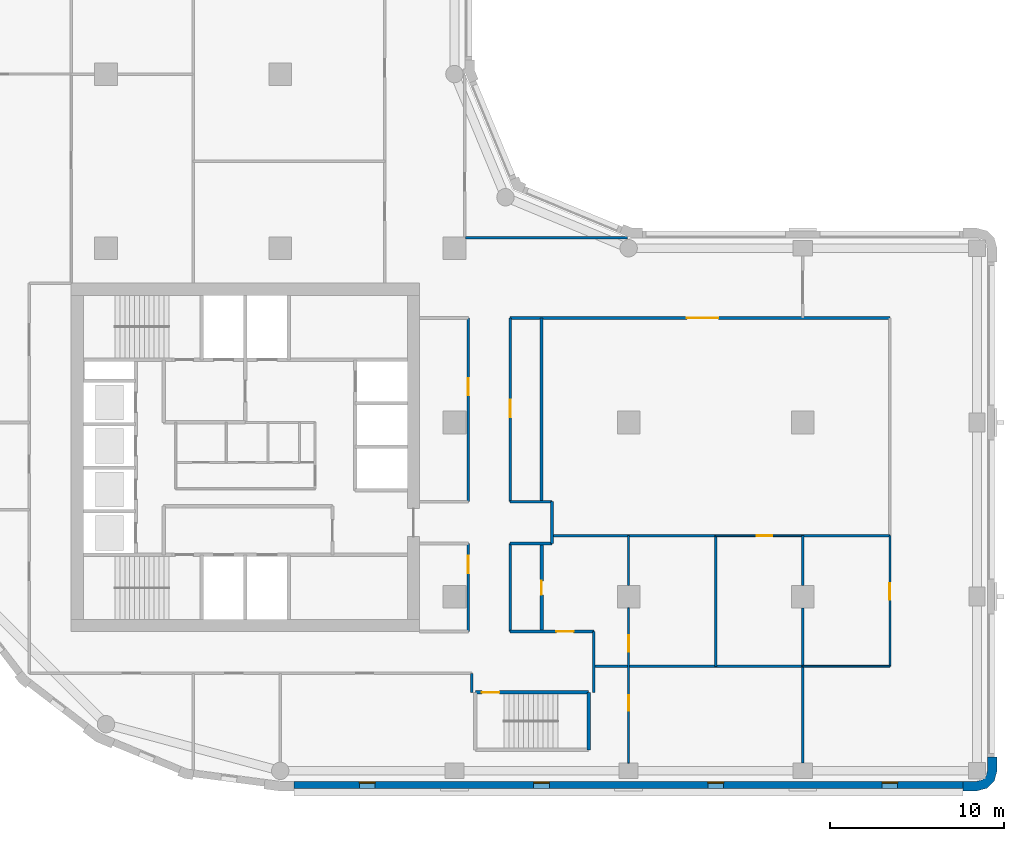
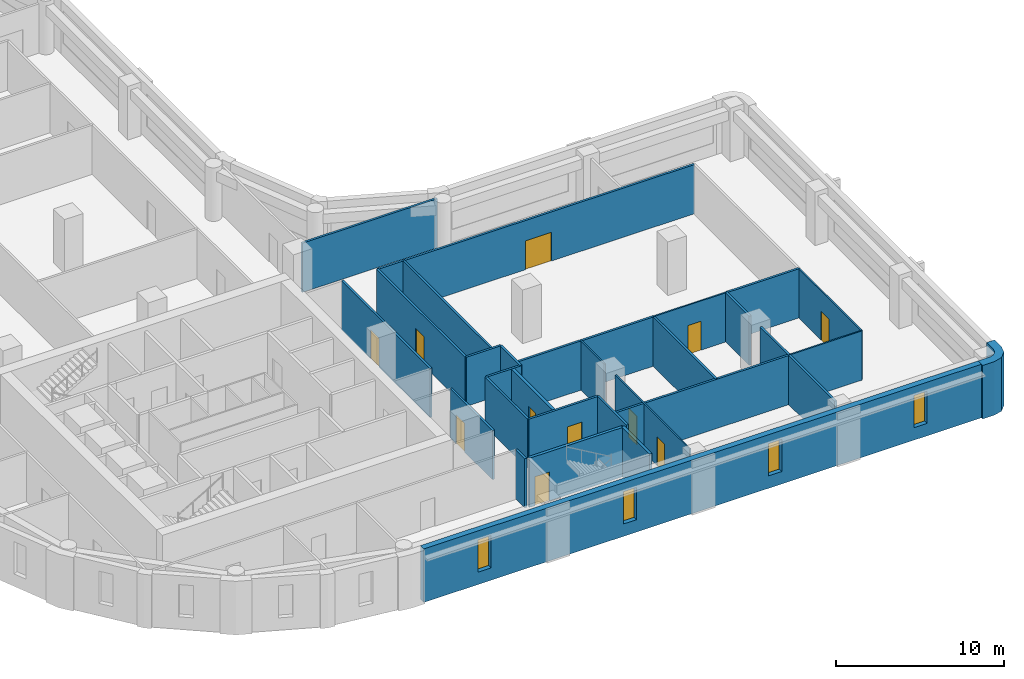
# One storey, part 4 of 10: 29 walls, 11 doors, 4 windows, 15 openings.
"""IFC4 building model written with IfcOpenShell, lengths in metres."""

from ifc_helpers import new_model, si_unit, direction, frame, frame_2d, origin, place, context, subcontext, project, spatial, polyline, rectangle, outline, extrude, material, layer, layer_set, type_object, element, fill, save


model = new_model("IFC4")

# Units and contexts
model_context = context("Model", 3, precision=1e-05, world=origin(), true_north=direction((0.0, 1.0)))
body_context = subcontext(model_context, "Body", "Model", "MODEL_VIEW")
ifc_project = project(units=[si_unit("LENGTHUNIT", "METRE"), si_unit("AREAUNIT", "SQUARE_METRE"), si_unit("VOLUMEUNIT", "CUBIC_METRE"), si_unit("PLANEANGLEUNIT", "RADIAN"), si_unit("MASSUNIT", "GRAM", prefix="KILO")], contexts=[model_context])

# Site, building, storey
site_placement = place(None, origin())
site = spatial("IfcSite", under=ifc_project, at=site_placement, CompositionType="ELEMENT")
building_placement = place(site_placement, origin())
building = spatial("IfcBuilding", under=site, at=building_placement, Name="Qaws Garden Tower", CompositionType="ELEMENT")
storey_placement = place(building_placement, frame((0.0, 0.0, 209.699951171875)))
storey = spatial("IfcBuildingStorey", under=building, at=storey_placement, Name="L51", CompositionType="ELEMENT", Elevation=209.699951171875)

# Wall, opening, door
ifc_material_1 = material(Name="Blockwork", Category="masonry")
ifc_layer_1 = layer(ifc_material_1, 0.199951171875)
ifc_layer_set_1 = layer_set([ifc_layer_1], Name="Blockwork")
wall_type_1 = type_object("IfcWallType", Name="BLOCK WALL 200 EI 60", PredefinedType="PARTITIONING", material=ifc_layer_set_1)
wall_1_placement = place(storey_placement, frame((35.0, 8.0, 0.0), z_axis=(0.0, 0.0, 1.0), x_axis=(0.0, 1.0, 0.0)))
wall_1 = element("IfcWall", 1, at=wall_1_placement, inside=storey, type_object=wall_type_1, Name="O-L51-wall-063", PredefinedType="PARTITIONING", context=body_context, shape_type="SweptSolid", body=[
    extrude(rectangle(XDim=5.050048828125, YDim=0.199951171875, at=frame_2d((2.52490234375, 0.0))), origin(), (0.0, 0.0, 1.0), 3.580078125),
])
opening_1_placement = place(wall_1_placement, frame((2.10009765625, 0.0, 0.0)))
opening_1 = element("IfcOpeningElement", 2, at=opening_1_placement, cuts=wall_1, Name="Opening B729", PredefinedType="OPENING", context=body_context, shape_type="SweptSolid", body=[
    extrude(rectangle(XDim=0.800048828125, YDim=2.10009765625, at=frame_2d((0.39990234375, 1.050048828125))), frame((0.0, 0.10986328125, 0.0), z_axis=(0.0, -1.0, 0.0), x_axis=(1.0, 0.0, 0.0)), (0.0, 0.0, 1.0), 0.219970703125),
])
ifc_material_2 = material(Name="Timber door leaf", Category="wood")
door_type_1 = type_object("IfcDoorType", Name="STORE DOOR 800 X 2100", OperationType="SINGLE_SWING_LEFT", PredefinedType="DOOR", material=ifc_material_2)
door_1_placement = place(opening_1_placement, origin())
door_1 = element("IfcDoor", 3, at=door_1_placement, inside=storey, type_object=door_type_1, Name="O-L51-door-029", OperationType="SINGLE_SWING_RIGHT", OverallHeight=2.10009765625, OverallWidth=0.800048828125, PredefinedType="DOOR", context=body_context, shape_type="SweptSolid", body=[
    extrude(rectangle(XDim=0.800048828125, YDim=2.10009765625, at=frame_2d((0.39990234375, 1.050048828125))), frame((0.0, 0.02490234375, 0.0), z_axis=(0.0, -1.0, 0.0), x_axis=(1.0, 0.0, 0.0)), (0.0, 0.0, 1.0), 0.050048828125),
])
fill(opening_1, door_1)

# Wall
ifc_material_3 = material(Name="Clay facing brick masonry", Category="masonry")
ifc_layer_2 = layer(ifc_material_3, 0.550048828125)
ifc_layer_set_2 = layer_set([ifc_layer_2], Name="Clay facing brick masonry")
wall_type_2 = type_object("IfcWallType", Name="Brick corner pier 550 x 2400", PredefinedType="SOLIDWALL", material=ifc_layer_set_2)
wall_2_placement = place(storey_placement, origin())
element("IfcWall", 4, at=wall_2_placement, inside=storey, type_object=wall_type_2, Name="E-L51-pier-04", PredefinedType="SOLIDWALL", context=body_context, shape_type="SweptSolid", body=[
    extrude(outline(polyline([(59.199951171875, -1.0), (59.199951171875, -1.14990234375), (60.0, -1.14990234375), (60.574951171875, -0.995849609375), (60.995849609375, -0.574951171875), (61.14990234375, 0.0), (61.14990234375, 0.800048828125), (61.0, 0.800048828125), (60.60009765625, 0.800048828125), (60.60009765625, 0.0), (60.51953125, -0.300048828125), (60.300048828125, -0.51953125), (60.0, -0.60009765625), (59.199951171875, -0.60009765625), (59.199951171875, -1.0)])), origin(), (0.0, 0.0, 1.0), 3.900146484375),
])

# Wall, openings, windows
ifc_material_4 = material(Name="Clay facing brick masonry", Category="masonry")
ifc_layer_3 = layer(ifc_material_4, 0.39990234375)
ifc_layer_set_3 = layer_set([ifc_layer_3], Name="Clay facing brick masonry")
wall_type_3 = type_object("IfcWallType", Name="Brick infill wall 400", PredefinedType="SOLIDWALL", material=ifc_layer_set_3)
wall_3_placement = place(storey_placement, frame((20.800048828125, -0.800048828125, 0.0), z_axis=(0.0, 0.0, 1.0), x_axis=(1.0, 0.0, 0.0)))
wall_3 = element("IfcWall", 5, at=wall_3_placement, inside=storey, type_object=wall_type_3, Name="E-L51-infill-00", PredefinedType="SOLIDWALL", context=body_context, shape_type="SweptSolid", body=[
    extrude(rectangle(XDim=38.39990234375, YDim=0.39990234375, at=frame_2d((19.199951171875, 0.0))), origin(), (0.0, 0.0, 1.0), 3.900146484375),
])
opening_2_placement = place(wall_3_placement, frame((3.75, 0.0, 0.89990234375)))
opening_2 = element("IfcOpeningElement", 6, at=opening_2_placement, cuts=wall_3, Name="Opening W09", PredefinedType="OPENING", context=body_context, shape_type="SweptSolid", body=[
    extrude(rectangle(XDim=0.89990234375, YDim=2.35009765625, at=frame_2d((0.449951171875, 1.175048828125))), frame((0.0, 0.2099609375, 0.0), z_axis=(0.0, -1.0, 0.0), x_axis=(1.0, 0.0, 0.0)), (0.0, 0.0, 1.0), 0.419921875),
])
opening_3_placement = place(wall_3_placement, frame((13.75, 0.0, 0.89990234375)))
opening_3 = element("IfcOpeningElement", 7, at=opening_3_placement, cuts=wall_3, Name="Opening W09", PredefinedType="OPENING", context=body_context, shape_type="SweptSolid", body=[
    extrude(rectangle(XDim=0.89990234375, YDim=2.35009765625, at=frame_2d((0.449951171875, 1.175048828125))), frame((0.0, 0.2099609375, 0.0), z_axis=(0.0, -1.0, 0.0), x_axis=(1.0, 0.0, 0.0)), (0.0, 0.0, 1.0), 0.419921875),
])
opening_4_placement = place(wall_3_placement, frame((23.75, 0.0, 0.89990234375)))
opening_4 = element("IfcOpeningElement", 8, at=opening_4_placement, cuts=wall_3, Name="Opening W09", PredefinedType="OPENING", context=body_context, shape_type="SweptSolid", body=[
    extrude(rectangle(XDim=0.89990234375, YDim=2.35009765625, at=frame_2d((0.449951171875, 1.175048828125))), frame((0.0, 0.2099609375, 0.0), z_axis=(0.0, -1.0, 0.0), x_axis=(1.0, 0.0, 0.0)), (0.0, 0.0, 1.0), 0.419921875),
])
opening_5_placement = place(wall_3_placement, frame((33.75, 0.0, 0.89990234375)))
opening_5 = element("IfcOpeningElement", 9, at=opening_5_placement, cuts=wall_3, Name="Opening W09", PredefinedType="OPENING", context=body_context, shape_type="SweptSolid", body=[
    extrude(rectangle(XDim=0.89990234375, YDim=2.35009765625, at=frame_2d((0.449951171875, 1.175048828125))), frame((0.0, 0.2099609375, 0.0), z_axis=(0.0, -1.0, 0.0), x_axis=(1.0, 0.0, 0.0)), (0.0, 0.0, 1.0), 0.419921875),
])
ifc_material_5 = material(Name="Aluminium framed window, clear glazing", Category="aluminium")
window_type = type_object("IfcWindowType", Name="Slit window 900 x 2350", PartitioningType="SINGLE_PANEL", PredefinedType="WINDOW", material=ifc_material_5)
window_1_placement = place(opening_2_placement, origin())
window_1 = element("IfcWindow", 10, at=window_1_placement, inside=storey, type_object=window_type, Name="E-L51-window-00-0", OverallHeight=2.35009765625, OverallWidth=0.89990234375, PartitioningType="SINGLE_PANEL", PredefinedType="WINDOW", context=body_context, shape_type="SweptSolid", body=[
    extrude(rectangle(XDim=0.89990234375, YDim=2.35009765625, at=frame_2d((0.449951171875, 1.175048828125))), frame((0.0, 0.159912109375, 0.0), z_axis=(0.0, -1.0, 0.0), x_axis=(1.0, 0.0, 0.0)), (0.0, 0.0, 1.0), 0.06005859375),
])
fill(opening_2, window_1)
window_2_placement = place(opening_3_placement, origin())
window_2 = element("IfcWindow", 11, at=window_2_placement, inside=storey, type_object=window_type, Name="E-L51-window-01-0", OverallHeight=2.35009765625, OverallWidth=0.89990234375, PartitioningType="SINGLE_PANEL", PredefinedType="WINDOW", context=body_context, shape_type="SweptSolid", body=[
    extrude(rectangle(XDim=0.89990234375, YDim=2.35009765625, at=frame_2d((0.449951171875, 1.175048828125))), frame((0.0, 0.159912109375, 0.0), z_axis=(0.0, -1.0, 0.0), x_axis=(1.0, 0.0, 0.0)), (0.0, 0.0, 1.0), 0.06005859375),
])
fill(opening_3, window_2)
window_3_placement = place(opening_4_placement, origin())
window_3 = element("IfcWindow", 12, at=window_3_placement, inside=storey, type_object=window_type, Name="E-L51-window-02-0", OverallHeight=2.35009765625, OverallWidth=0.89990234375, PartitioningType="SINGLE_PANEL", PredefinedType="WINDOW", context=body_context, shape_type="SweptSolid", body=[
    extrude(rectangle(XDim=0.89990234375, YDim=2.35009765625, at=frame_2d((0.449951171875, 1.175048828125))), frame((0.0, 0.159912109375, 0.0), z_axis=(0.0, -1.0, 0.0), x_axis=(1.0, 0.0, 0.0)), (0.0, 0.0, 1.0), 0.06005859375),
])
fill(opening_4, window_3)
window_4_placement = place(opening_5_placement, origin())
window_4 = element("IfcWindow", 13, at=window_4_placement, inside=storey, type_object=window_type, Name="E-L51-window-03-0", OverallHeight=2.35009765625, OverallWidth=0.89990234375, PartitioningType="SINGLE_PANEL", PredefinedType="WINDOW", context=body_context, shape_type="SweptSolid", body=[
    extrude(rectangle(XDim=0.89990234375, YDim=2.35009765625, at=frame_2d((0.449951171875, 1.175048828125))), frame((0.0, 0.159912109375, 0.0), z_axis=(0.0, -1.0, 0.0), x_axis=(1.0, 0.0, 0.0)), (0.0, 0.0, 1.0), 0.06005859375),
])
fill(opening_5, window_4)

# Wall, opening, door
ifc_material_6 = material(Name="Concrete C70", Category="concrete")
ifc_layer_4 = layer(ifc_material_6, 0.199951171875)
ifc_layer_set_4 = layer_set([ifc_layer_4], Name="Concrete C70")
wall_type_4 = type_object("IfcWallType", Name="Core shaft wall 200 C70", PredefinedType="SHEAR", material=ifc_layer_set_4)
wall_4_placement = place(storey_placement, frame((31.199951171875, 4.5, 0.0), z_axis=(0.0, 0.0, 1.0), x_axis=(1.0, 0.0, 0.0)))
wall_4 = element("IfcWall", 14, at=wall_4_placement, inside=storey, type_object=wall_type_4, Name="Shaft wall", PredefinedType="SHEAR", context=body_context, shape_type="SweptSolid", body=[
    extrude(rectangle(XDim=6.5, YDim=0.199951171875, at=frame_2d((3.25, 0.0))), origin(), (0.0, 0.0, 1.0), 3.580078125),
])
opening_6_placement = place(wall_4_placement, frame((0.375, 0.0, 0.0)))
opening_6 = element("IfcOpeningElement", 15, at=opening_6_placement, cuts=wall_4, Name="Opening SD12", PredefinedType="OPENING", context=body_context, shape_type="SweptSolid", body=[
    extrude(rectangle(XDim=1.0, YDim=2.10009765625, at=frame_2d((0.5, 1.050048828125))), frame((0.0, 0.10986328125, 0.0), z_axis=(0.0, -1.0, 0.0), x_axis=(1.0, 0.0, 0.0)), (0.0, 0.0, 1.0), 0.219970703125),
])
ifc_material_7 = material(Name="Steel S235", Category="steel")
door_type_2 = type_object("IfcDoorType", Name="Stair door 1000x2100", OperationType="SINGLE_SWING_RIGHT", PredefinedType="DOOR", material=ifc_material_7)
door_2_placement = place(opening_6_placement, frame((1.0, 0.0, 0.0), z_axis=(0.0, 0.0, 1.0), x_axis=(-1.0, 0.0, 0.0)))
door_2 = element("IfcDoor", 16, at=door_2_placement, inside=storey, type_object=door_type_2, Name="Stair 5 door", OperationType="SINGLE_SWING_RIGHT", OverallHeight=2.10009765625, OverallWidth=1.0, PredefinedType="DOOR", context=body_context, shape_type="SweptSolid", body=[
    extrude(rectangle(XDim=1.0, YDim=2.10009765625, at=frame_2d((0.5, 1.050048828125))), frame((0.0, 0.02490234375, 0.0), z_axis=(0.0, -1.0, 0.0), x_axis=(1.0, 0.0, 0.0)), (0.0, 0.0, 1.0), 0.050048828125),
])
fill(opening_6, door_2)

# Wall
wall_5_placement = place(storey_placement, frame((37.699951171875, 1.199951171875, 0.0), z_axis=(0.0, 0.0, 1.0), x_axis=(0.0, 1.0, 0.0)))
element("IfcWall", 17, at=wall_5_placement, inside=storey, type_object=wall_type_4, Name="Shaft wall", PredefinedType="SHEAR", context=body_context, shape_type="SweptSolid", body=[
    extrude(rectangle(XDim=3.300048828125, YDim=0.199951171875, at=frame_2d((1.64990234375, 0.0))), origin(), (0.0, 0.0, 1.0), 3.580078125),
])

# Wall, openings, doors
ifc_material_8 = material(Name="Gypsum board partition")
ifc_layer_5 = layer(ifc_material_8, 0.10009765625)
ifc_layer_set_5 = layer_set([ifc_layer_5], Name="Gypsum board partition")
wall_type_5 = type_object("IfcWallType", Name="PARTITION 100", PredefinedType="PARTITIONING", material=ifc_layer_set_5)
wall_6_placement = place(storey_placement, frame((40.0, 0.449951171875, 0.0), z_axis=(0.0, 0.0, 1.0), x_axis=(0.0, 1.0, 0.0)))
wall_6 = element("IfcWall", 18, at=wall_6_placement, inside=storey, type_object=wall_type_5, Name="O-L51-wall-003", PredefinedType="PARTITIONING", context=body_context, shape_type="SweptSolid", body=[
    extrude(rectangle(XDim=8.900146484375, YDim=0.10009765625, at=frame_2d((4.4501953125, 0.0))), origin(), (0.0, 0.0, 1.0), 3.580078125),
])
opening_7_placement = place(wall_6_placement, frame((6.375, 0.0, 0.0)))
opening_7 = element("IfcOpeningElement", 19, at=opening_7_placement, cuts=wall_6, Name="Opening B722", PredefinedType="OPENING", context=body_context, shape_type="SweptSolid", body=[
    extrude(rectangle(XDim=0.949951171875, YDim=2.10009765625, at=frame_2d((0.47509765625, 1.050048828125))), frame((0.0, 0.06005859375, 0.0), z_axis=(0.0, -1.0, 0.0), x_axis=(1.0, 0.0, 0.0)), (0.0, 0.0, 1.0), 0.1201171875),
])
opening_8_placement = place(wall_6_placement, frame((3.0, 0.0, 0.0)))
opening_8 = element("IfcOpeningElement", 20, at=opening_8_placement, cuts=wall_6, Name="Opening B725", PredefinedType="OPENING", context=body_context, shape_type="SweptSolid", body=[
    extrude(rectangle(XDim=0.89990234375, YDim=2.10009765625, at=frame_2d((0.449951171875, 1.050048828125))), frame((0.0, 0.06005859375, 0.0), z_axis=(0.0, -1.0, 0.0), x_axis=(1.0, 0.0, 0.0)), (0.0, 0.0, 1.0), 0.1201171875),
])
ifc_material_9 = material(Name="Timber and glass door leaf", Category="wood")
door_type_3 = type_object("IfcDoorType", Name="GLAZED DOOR 950 X 2100", OperationType="SINGLE_SWING_LEFT", PredefinedType="DOOR", material=ifc_material_9)
door_3_placement = place(opening_7_placement, origin())
door_3 = element("IfcDoor", 21, at=door_3_placement, inside=storey, type_object=door_type_3, Name="O-L51-door-022", OperationType="SINGLE_SWING_LEFT", OverallHeight=2.10009765625, OverallWidth=0.949951171875, PredefinedType="DOOR", context=body_context, shape_type="SweptSolid", body=[
    extrude(rectangle(XDim=0.949951171875, YDim=2.10009765625, at=frame_2d((0.47509765625, 1.050048828125))), frame((0.0, 0.02490234375, 0.0), z_axis=(0.0, -1.0, 0.0), x_axis=(1.0, 0.0, 0.0)), (0.0, 0.0, 1.0), 0.050048828125),
])
fill(opening_7, door_3)
ifc_material_10 = material(Name="Timber door leaf", Category="wood")
door_type_4 = type_object("IfcDoorType", Name="OFFICE DOOR 900 X 2100", OperationType="SINGLE_SWING_LEFT", PredefinedType="DOOR", material=ifc_material_10)
door_4_placement = place(opening_8_placement, frame((0.89990234375, 0.0, 0.0), z_axis=(0.0, 0.0, 1.0), x_axis=(-1.0, 0.0, 0.0)))
door_4 = element("IfcDoor", 22, at=door_4_placement, inside=storey, type_object=door_type_4, Name="O-L51-door-025", OperationType="SINGLE_SWING_LEFT", OverallHeight=2.10009765625, OverallWidth=0.89990234375, PredefinedType="DOOR", context=body_context, shape_type="SweptSolid", body=[
    extrude(rectangle(XDim=0.89990234375, YDim=2.10009765625, at=frame_2d((0.449951171875, 1.050048828125))), frame((0.0, 0.02490234375, 0.0), z_axis=(0.0, -1.0, 0.0), x_axis=(1.0, 0.0, 0.0)), (0.0, 0.0, 1.0), 0.050048828125),
])
fill(opening_8, door_4)

# Wall
wall_7_placement = place(storey_placement, frame((40.0, 10.64990234375, 0.0), z_axis=(0.0, 0.0, 1.0), x_axis=(0.0, 1.0, 0.0)))
element("IfcWall", 23, at=wall_7_placement, inside=storey, type_object=wall_type_5, Name="O-L51-wall-004", PredefinedType="PARTITIONING", context=body_context, shape_type="SweptSolid", body=[
    extrude(rectangle(XDim=2.85009765625, YDim=0.10009765625, at=frame_2d((1.425048828125, 0.0))), origin(), (0.0, 0.0, 1.0), 3.580078125),
])

# Wall, opening, door
wall_8_placement = place(storey_placement, frame((55.0, 6.0, 0.0), z_axis=(0.0, 0.0, 1.0), x_axis=(0.0, 1.0, 0.0)))
wall_8 = element("IfcWall", 24, at=wall_8_placement, inside=storey, type_object=wall_type_5, Name="O-L51-wall-005", PredefinedType="PARTITIONING", context=body_context, shape_type="SweptSolid", body=[
    extrude(rectangle(XDim=7.5, YDim=0.10009765625, at=frame_2d((3.75, 0.0))), origin(), (0.0, 0.0, 1.0), 3.580078125),
])
opening_9_placement = place(wall_8_placement, frame((3.824951171875, 0.0, 0.0)))
opening_9 = element("IfcOpeningElement", 25, at=opening_9_placement, cuts=wall_8, Name="Opening B724", PredefinedType="OPENING", context=body_context, shape_type="SweptSolid", body=[
    extrude(rectangle(XDim=0.949951171875, YDim=2.10009765625, at=frame_2d((0.47509765625, 1.050048828125))), frame((0.0, 0.06005859375, 0.0), z_axis=(0.0, -1.0, 0.0), x_axis=(1.0, 0.0, 0.0)), (0.0, 0.0, 1.0), 0.1201171875),
])
door_5_placement = place(opening_9_placement, origin())
door_5 = element("IfcDoor", 26, at=door_5_placement, inside=storey, type_object=door_type_3, Name="O-L51-door-024", OperationType="SINGLE_SWING_RIGHT", OverallHeight=2.10009765625, OverallWidth=0.949951171875, PredefinedType="DOOR", context=body_context, shape_type="SweptSolid", body=[
    extrude(rectangle(XDim=0.949951171875, YDim=2.10009765625, at=frame_2d((0.47509765625, 1.050048828125))), frame((0.0, 0.02490234375, 0.0), z_axis=(0.0, -1.0, 0.0), x_axis=(1.0, 0.0, 0.0)), (0.0, 0.0, 1.0), 0.050048828125),
])
fill(opening_9, door_5)

# Wall
wall_9_placement = place(storey_placement, frame((50.0, 6.0, 0.0), z_axis=(0.0, 0.0, 1.0), x_axis=(1.0, 0.0, 0.0)))
element("IfcWall", 27, at=wall_9_placement, inside=storey, type_object=wall_type_5, Name="O-L51-wall-006", PredefinedType="PARTITIONING", context=body_context, shape_type="SweptSolid", body=[
    extrude(rectangle(XDim=5.0, YDim=0.10009765625, at=frame_2d((2.5, 0.0))), origin(), (0.0, 0.0, 1.0), 3.580078125),
])

# Wall, opening, door
wall_10_placement = place(storey_placement, frame((45.0, 13.5, 0.0), z_axis=(0.0, 0.0, 1.0), x_axis=(1.0, 0.0, 0.0)))
wall_10 = element("IfcWall", 28, at=wall_10_placement, inside=storey, type_object=wall_type_5, Name="O-L51-wall-007", PredefinedType="PARTITIONING", context=body_context, shape_type="SweptSolid", body=[
    extrude(rectangle(XDim=5.0, YDim=0.10009765625, at=frame_2d((2.5, 0.0))), origin(), (0.0, 0.0, 1.0), 3.580078125),
])
opening_10_placement = place(wall_10_placement, frame((2.35009765625, 0.0, 0.0)))
opening_10 = element("IfcOpeningElement", 29, at=opening_10_placement, cuts=wall_10, Name="Opening B723", PredefinedType="OPENING", context=body_context, shape_type="SweptSolid", body=[
    extrude(rectangle(XDim=0.89990234375, YDim=2.10009765625, at=frame_2d((0.449951171875, 1.050048828125))), frame((0.0, 0.06005859375, 0.0), z_axis=(0.0, -1.0, 0.0), x_axis=(1.0, 0.0, 0.0)), (0.0, 0.0, 1.0), 0.1201171875),
])
door_6_placement = place(opening_10_placement, frame((0.89990234375, 0.0, 0.0), z_axis=(0.0, 0.0, 1.0), x_axis=(-1.0, 0.0, 0.0)))
door_6 = element("IfcDoor", 30, at=door_6_placement, inside=storey, type_object=door_type_4, Name="O-L51-door-023", OperationType="SINGLE_SWING_RIGHT", OverallHeight=2.10009765625, OverallWidth=0.89990234375, PredefinedType="DOOR", context=body_context, shape_type="SweptSolid", body=[
    extrude(rectangle(XDim=0.89990234375, YDim=2.10009765625, at=frame_2d((0.449951171875, 1.050048828125))), frame((0.0, 0.02490234375, 0.0), z_axis=(0.0, -1.0, 0.0), x_axis=(1.0, 0.0, 0.0)), (0.0, 0.0, 1.0), 0.050048828125),
])
fill(opening_10, door_6)

ifc_material_11 = material(Name="Gypsum board partition")
ifc_layer_6 = layer(ifc_material_11, 0.14990234375)
ifc_layer_set_6 = layer_set([ifc_layer_6], Name="Gypsum board partition")
wall_type_6 = type_object("IfcWallType", Name="PARTITION 150 EI 60", PredefinedType="PARTITIONING", material=ifc_layer_set_6)
wall_11_placement = place(storey_placement, frame((30.800048828125, 8.0, 0.0), z_axis=(0.0, 0.0, 1.0), x_axis=(0.0, 1.0, 0.0)))
wall_11 = element("IfcWall", 31, at=wall_11_placement, inside=storey, type_object=wall_type_6, Name="O-L51-wall-021", PredefinedType="PARTITIONING", context=body_context, shape_type="SweptSolid", body=[
    extrude(rectangle(XDim=5.050048828125, YDim=0.14990234375, at=frame_2d((2.52490234375, 0.0))), origin(), (0.0, 0.0, 1.0), 3.580078125),
])
opening_11_placement = place(wall_11_placement, frame((3.35009765625, 0.0, 0.0)))
opening_11 = element("IfcOpeningElement", 32, at=opening_11_placement, cuts=wall_11, Name="Opening B721", PredefinedType="OPENING", context=body_context, shape_type="SweptSolid", body=[
    extrude(rectangle(XDim=1.0, YDim=2.10009765625, at=frame_2d((0.5, 1.050048828125))), frame((0.0, 0.0849609375, 0.0), z_axis=(0.0, -1.0, 0.0), x_axis=(1.0, 0.0, 0.0)), (0.0, 0.0, 1.0), 0.169921875),
])
ifc_material_12 = material(Name="Timber door leaf", Category="wood")
door_type_5 = type_object("IfcDoorType", Name="TENANCY ENTRANCE DOOR 1000 X 2100", OperationType="SINGLE_SWING_LEFT", PredefinedType="DOOR", material=ifc_material_12)
door_7_placement = place(opening_11_placement, origin())
door_7 = element("IfcDoor", 33, at=door_7_placement, inside=storey, type_object=door_type_5, Name="O-L51-door-021", OperationType="SINGLE_SWING_RIGHT", OverallHeight=2.10009765625, OverallWidth=1.0, PredefinedType="DOOR", context=body_context, shape_type="SweptSolid", body=[
    extrude(rectangle(XDim=1.0, YDim=2.10009765625, at=frame_2d((0.5, 1.050048828125))), frame((0.0, 0.02490234375, 0.0), z_axis=(0.0, -1.0, 0.0), x_axis=(1.0, 0.0, 0.0)), (0.0, 0.0, 1.0), 0.050048828125),
])
fill(opening_11, door_7)

wall_12_placement = place(storey_placement, frame((30.800048828125, 15.449951171875, 0.0), z_axis=(0.0, 0.0, 1.0), x_axis=(0.0, 1.0, 0.0)))
wall_12 = element("IfcWall", 34, at=wall_12_placement, inside=storey, type_object=wall_type_6, Name="O-L51-wall-022", PredefinedType="PARTITIONING", context=body_context, shape_type="SweptSolid", body=[
    extrude(rectangle(XDim=10.550048828125, YDim=0.14990234375, at=frame_2d((5.27490234375, 0.0))), origin(), (0.0, 0.0, 1.0), 3.580078125),
])
opening_12_placement = place(wall_12_placement, frame((6.10009765625, 0.0, 0.0)))
opening_12 = element("IfcOpeningElement", 35, at=opening_12_placement, cuts=wall_12, Name="Opening B719", PredefinedType="OPENING", context=body_context, shape_type="SweptSolid", body=[
    extrude(rectangle(XDim=1.0, YDim=2.10009765625, at=frame_2d((0.5, 1.050048828125))), frame((0.0, 0.0849609375, 0.0), z_axis=(0.0, -1.0, 0.0), x_axis=(1.0, 0.0, 0.0)), (0.0, 0.0, 1.0), 0.169921875),
])
door_8_placement = place(opening_12_placement, origin())
door_8 = element("IfcDoor", 36, at=door_8_placement, inside=storey, type_object=door_type_5, Name="O-L51-door-019", OperationType="SINGLE_SWING_RIGHT", OverallHeight=2.10009765625, OverallWidth=1.0, PredefinedType="DOOR", context=body_context, shape_type="SweptSolid", body=[
    extrude(rectangle(XDim=1.0, YDim=2.10009765625, at=frame_2d((0.5, 1.050048828125))), frame((0.0, 0.02490234375, 0.0), z_axis=(0.0, -1.0, 0.0), x_axis=(1.0, 0.0, 0.0)), (0.0, 0.0, 1.0), 0.050048828125),
])
fill(opening_12, door_8)

# Walls
wall_13_placement = place(storey_placement, frame((31.0, 4.5, 0.0), z_axis=(0.0, 0.0, 1.0), x_axis=(0.0, 1.0, 0.0)))
element("IfcWall", 37, at=wall_13_placement, inside=storey, type_object=wall_type_6, Name="O-L51-wall-023", PredefinedType="PARTITIONING", context=body_context, shape_type="SweptSolid", body=[
    extrude(rectangle(XDim=1.10009765625, YDim=0.14990234375, at=frame_2d((0.550048828125, 0.0))), origin(), (0.0, 0.0, 1.0), 3.580078125),
])
wall_14_placement = place(storey_placement, frame((33.199951171875, 8.0, 0.0), z_axis=(0.0, 0.0, 1.0), x_axis=(0.0, 1.0, 0.0)))
element("IfcWall", 38, at=wall_14_placement, inside=storey, type_object=wall_type_6, Name="O-L51-wall-024", PredefinedType="PARTITIONING", context=body_context, shape_type="SweptSolid", body=[
    extrude(rectangle(XDim=5.050048828125, YDim=0.14990234375, at=frame_2d((2.52490234375, 0.0))), origin(), (0.0, 0.0, 1.0), 3.580078125),
])

# Wall, opening, door
wall_15_placement = place(storey_placement, frame((33.199951171875, 15.449951171875, 0.0), z_axis=(0.0, 0.0, 1.0), x_axis=(0.0, 1.0, 0.0)))
wall_15 = element("IfcWall", 39, at=wall_15_placement, inside=storey, type_object=wall_type_6, Name="O-L51-wall-025", PredefinedType="PARTITIONING", context=body_context, shape_type="SweptSolid", body=[
    extrude(rectangle(XDim=10.550048828125, YDim=0.14990234375, at=frame_2d((5.27490234375, 0.0))), origin(), (0.0, 0.0, 1.0), 3.580078125),
])
opening_13_placement = place(wall_15_placement, frame((4.85009765625, 0.0, 0.0)))
opening_13 = element("IfcOpeningElement", 40, at=opening_13_placement, cuts=wall_15, Name="Opening B718", PredefinedType="OPENING", context=body_context, shape_type="SweptSolid", body=[
    extrude(rectangle(XDim=1.0, YDim=2.10009765625, at=frame_2d((0.5, 1.050048828125))), frame((0.0, 0.0849609375, 0.0), z_axis=(0.0, -1.0, 0.0), x_axis=(1.0, 0.0, 0.0)), (0.0, 0.0, 1.0), 0.169921875),
])
door_9_placement = place(opening_13_placement, frame((1.0, 0.0, 0.0), z_axis=(0.0, 0.0, 1.0), x_axis=(-1.0, 0.0, 0.0)))
door_9 = element("IfcDoor", 41, at=door_9_placement, inside=storey, type_object=door_type_5, Name="O-L51-door-018", OperationType="SINGLE_SWING_LEFT", OverallHeight=2.10009765625, OverallWidth=1.0, PredefinedType="DOOR", context=body_context, shape_type="SweptSolid", body=[
    extrude(rectangle(XDim=1.0, YDim=2.10009765625, at=frame_2d((0.5, 1.050048828125))), frame((0.0, 0.02490234375, 0.0), z_axis=(0.0, -1.0, 0.0), x_axis=(1.0, 0.0, 0.0)), (0.0, 0.0, 1.0), 0.050048828125),
])
fill(opening_13, door_9)

# Walls
wall_16_placement = place(storey_placement, frame((35.0, 15.449951171875, 0.0), z_axis=(0.0, 0.0, 1.0), x_axis=(0.0, 1.0, 0.0)))
element("IfcWall", 42, at=wall_16_placement, inside=storey, type_object=wall_type_6, Name="O-L51-wall-026", PredefinedType="PARTITIONING", context=body_context, shape_type="SweptSolid", body=[
    extrude(rectangle(XDim=10.550048828125, YDim=0.14990234375, at=frame_2d((5.27490234375, 0.0))), origin(), (0.0, 0.0, 1.0), 3.580078125),
])
wall_17_placement = place(storey_placement, frame((35.60009765625, 13.050048828125, 0.0), z_axis=(0.0, 0.0, 1.0), x_axis=(0.0, 1.0, 0.0)))
element("IfcWall", 43, at=wall_17_placement, inside=storey, type_object=wall_type_6, Name="O-L51-wall-027", PredefinedType="PARTITIONING", context=body_context, shape_type="SweptSolid", body=[
    extrude(rectangle(XDim=2.39990234375, YDim=0.14990234375, at=frame_2d((1.199951171875, 0.0))), origin(), (0.0, 0.0, 1.0), 3.580078125),
])
wall_18_placement = place(storey_placement, frame((38.0, 4.5, 0.0), z_axis=(0.0, 0.0, 1.0), x_axis=(0.0, 1.0, 0.0)))
element("IfcWall", 44, at=wall_18_placement, inside=storey, type_object=wall_type_6, Name="O-L51-wall-028", PredefinedType="PARTITIONING", context=body_context, shape_type="SweptSolid", body=[
    extrude(rectangle(XDim=3.5, YDim=0.14990234375, at=frame_2d((1.75, 0.0))), origin(), (0.0, 0.0, 1.0), 3.580078125),
])
wall_19_placement = place(storey_placement, frame((45.0, 6.0, 0.0), z_axis=(0.0, 0.0, 1.0), x_axis=(0.0, 1.0, 0.0)))
element("IfcWall", 45, at=wall_19_placement, inside=storey, type_object=wall_type_6, Name="O-L51-wall-029", PredefinedType="PARTITIONING", context=body_context, shape_type="SweptSolid", body=[
    extrude(rectangle(XDim=7.5, YDim=0.14990234375, at=frame_2d((3.75, 0.0))), origin(), (0.0, 0.0, 1.0), 3.580078125),
])
wall_20_placement = place(storey_placement, frame((50.0, 0.449951171875, 0.0), z_axis=(0.0, 0.0, 1.0), x_axis=(0.0, 1.0, 0.0)))
element("IfcWall", 46, at=wall_20_placement, inside=storey, type_object=wall_type_6, Name="O-L51-wall-030", PredefinedType="PARTITIONING", context=body_context, shape_type="SweptSolid", body=[
    extrude(rectangle(XDim=8.900146484375, YDim=0.14990234375, at=frame_2d((4.4501953125, 0.0))), origin(), (0.0, 0.0, 1.0), 3.580078125),
])
wall_21_placement = place(storey_placement, frame((50.0, 10.64990234375, 0.0), z_axis=(0.0, 0.0, 1.0), x_axis=(0.0, 1.0, 0.0)))
element("IfcWall", 47, at=wall_21_placement, inside=storey, type_object=wall_type_6, Name="O-L51-wall-031", PredefinedType="PARTITIONING", context=body_context, shape_type="SweptSolid", body=[
    extrude(rectangle(XDim=2.85009765625, YDim=0.14990234375, at=frame_2d((1.425048828125, 0.0))), origin(), (0.0, 0.0, 1.0), 3.580078125),
])
wall_22_placement = place(storey_placement, frame((38.0, 6.0, 0.0), z_axis=(0.0, 0.0, 1.0), x_axis=(1.0, 0.0, 0.0)))
element("IfcWall", 48, at=wall_22_placement, inside=storey, type_object=wall_type_6, Name="O-L51-wall-035", PredefinedType="PARTITIONING", context=body_context, shape_type="SweptSolid", body=[
    extrude(rectangle(XDim=12.0, YDim=0.14990234375, at=frame_2d((6.0, 0.0))), origin(), (0.0, 0.0, 1.0), 3.580078125),
])

# Wall, opening, door
wall_23_placement = place(storey_placement, frame((33.199951171875, 8.0, 0.0), z_axis=(0.0, 0.0, 1.0), x_axis=(1.0, 0.0, 0.0)))
wall_23 = element("IfcWall", 49, at=wall_23_placement, inside=storey, type_object=wall_type_6, Name="O-L51-wall-037", PredefinedType="PARTITIONING", context=body_context, shape_type="SweptSolid", body=[
    extrude(rectangle(XDim=4.800048828125, YDim=0.14990234375, at=frame_2d((2.39990234375, 0.0))), origin(), (0.0, 0.0, 1.0), 3.580078125),
])
opening_14_placement = place(wall_23_placement, frame((2.64990234375, 0.0, 0.0)))
opening_14 = element("IfcOpeningElement", 50, at=opening_14_placement, cuts=wall_23, Name="Opening B703", PredefinedType="OPENING", context=body_context, shape_type="SweptSolid", body=[
    extrude(rectangle(XDim=1.0, YDim=2.10009765625, at=frame_2d((0.5, 1.050048828125))), frame((0.0, 0.0849609375, 0.0), z_axis=(0.0, -1.0, 0.0), x_axis=(1.0, 0.0, 0.0)), (0.0, 0.0, 1.0), 0.169921875),
])
door_10_placement = place(opening_14_placement, origin())
door_10 = element("IfcDoor", 51, at=door_10_placement, inside=storey, type_object=door_type_5, Name="O-L51-door-003", OperationType="SINGLE_SWING_LEFT", OverallHeight=2.10009765625, OverallWidth=1.0, PredefinedType="DOOR", context=body_context, shape_type="SweptSolid", body=[
    extrude(rectangle(XDim=1.0, YDim=2.10009765625, at=frame_2d((0.5, 1.050048828125))), frame((0.0, 0.02490234375, 0.0), z_axis=(0.0, -1.0, 0.0), x_axis=(1.0, 0.0, 0.0)), (0.0, 0.0, 1.0), 0.050048828125),
])
fill(opening_14, door_10)

# Walls
wall_24_placement = place(storey_placement, frame((33.199951171875, 13.050048828125, 0.0), z_axis=(0.0, 0.0, 1.0), x_axis=(1.0, 0.0, 0.0)))
element("IfcWall", 52, at=wall_24_placement, inside=storey, type_object=wall_type_6, Name="O-L51-wall-039", PredefinedType="PARTITIONING", context=body_context, shape_type="SweptSolid", body=[
    extrude(rectangle(XDim=2.400146484375, YDim=0.14990234375, at=frame_2d((1.2001953125, 0.0))), origin(), (0.0, 0.0, 1.0), 3.580078125),
])
wall_25_placement = place(storey_placement, frame((35.60009765625, 13.5, 0.0), z_axis=(0.0, 0.0, 1.0), x_axis=(1.0, 0.0, 0.0)))
element("IfcWall", 53, at=wall_25_placement, inside=storey, type_object=wall_type_6, Name="O-L51-wall-040", PredefinedType="PARTITIONING", context=body_context, shape_type="SweptSolid", body=[
    extrude(rectangle(XDim=9.39990234375, YDim=0.14990234375, at=frame_2d((4.699951171875, 0.0))), origin(), (0.0, 0.0, 1.0), 3.580078125),
])
wall_26_placement = place(storey_placement, frame((50.0, 13.5, 0.0), z_axis=(0.0, 0.0, 1.0), x_axis=(1.0, 0.0, 0.0)))
element("IfcWall", 54, at=wall_26_placement, inside=storey, type_object=wall_type_6, Name="O-L51-wall-041", PredefinedType="PARTITIONING", context=body_context, shape_type="SweptSolid", body=[
    extrude(rectangle(XDim=5.0, YDim=0.14990234375, at=frame_2d((2.5, 0.0))), origin(), (0.0, 0.0, 1.0), 3.580078125),
])
wall_27_placement = place(storey_placement, frame((33.199951171875, 15.449951171875, 0.0), z_axis=(0.0, 0.0, 1.0), x_axis=(1.0, 0.0, 0.0)))
element("IfcWall", 55, at=wall_27_placement, inside=storey, type_object=wall_type_6, Name="O-L51-wall-044", PredefinedType="PARTITIONING", context=body_context, shape_type="SweptSolid", body=[
    extrude(rectangle(XDim=2.400146484375, YDim=0.14990234375, at=frame_2d((1.2001953125, 0.0))), origin(), (0.0, 0.0, 1.0), 3.580078125),
])

# Wall, opening, door
wall_28_placement = place(storey_placement, frame((33.199951171875, 26.0, 0.0), z_axis=(0.0, 0.0, 1.0), x_axis=(1.0, 0.0, 0.0)))
wall_28 = element("IfcWall", 56, at=wall_28_placement, inside=storey, type_object=wall_type_6, Name="O-L51-wall-047", PredefinedType="PARTITIONING", context=body_context, shape_type="SweptSolid", body=[
    extrude(rectangle(XDim=21.800048828125, YDim=0.14990234375, at=frame_2d((10.89990234375, 0.0))), origin(), (0.0, 0.0, 1.0), 3.580078125),
])
opening_15_placement = place(wall_28_placement, frame((10.14990234375, 0.0, 0.0)))
opening_15 = element("IfcOpeningElement", 57, at=opening_15_placement, cuts=wall_28, Name="Opening B720", PredefinedType="OPENING", context=body_context, shape_type="SweptSolid", body=[
    extrude(rectangle(XDim=1.800048828125, YDim=2.10009765625, at=frame_2d((0.89990234375, 1.050048828125))), frame((0.0, 0.0849609375, 0.0), z_axis=(0.0, -1.0, 0.0), x_axis=(1.0, 0.0, 0.0)), (0.0, 0.0, 1.0), 0.169921875),
])
ifc_material_13 = material(Name="Timber door leaf", Category="wood")
door_type_6 = type_object("IfcDoorType", Name="DOUBLE DOOR 1800 X 2100", OperationType="DOUBLE_DOOR_SINGLE_SWING", PredefinedType="DOOR", material=ifc_material_13)
door_11_placement = place(opening_15_placement, frame((1.800048828125, 0.0, 0.0), z_axis=(0.0, 0.0, 1.0), x_axis=(-1.0, 0.0, 0.0)))
door_11 = element("IfcDoor", 58, at=door_11_placement, inside=storey, type_object=door_type_6, Name="O-L51-door-020", OperationType="DOUBLE_DOOR_SINGLE_SWING", OverallHeight=2.10009765625, OverallWidth=1.800048828125, PredefinedType="DOOR", context=body_context, shape_type="SweptSolid", body=[
    extrude(rectangle(XDim=1.800048828125, YDim=2.10009765625, at=frame_2d((0.89990234375, 1.050048828125))), frame((0.0, 0.02490234375, 0.0), z_axis=(0.0, -1.0, 0.0), x_axis=(1.0, 0.0, 0.0)), (0.0, 0.0, 1.0), 0.050048828125),
])
fill(opening_15, door_11)

# Wall
wall_29_placement = place(storey_placement, frame((30.64990234375, 30.60009765625, 0.0), z_axis=(0.0, 0.0, 1.0), x_axis=(1.0, 0.0, 0.0)))
element("IfcWall", 59, at=wall_29_placement, inside=storey, type_object=wall_type_6, Name="O-L51-wall-049", PredefinedType="PARTITIONING", context=body_context, shape_type="SweptSolid", body=[
    extrude(rectangle(XDim=9.288330078125, YDim=0.14990234375, at=frame_2d((4.64404296875, 0.0))), origin(), (0.0, 0.0, 1.0), 3.580078125),
])

save(model, "model.ifc")
